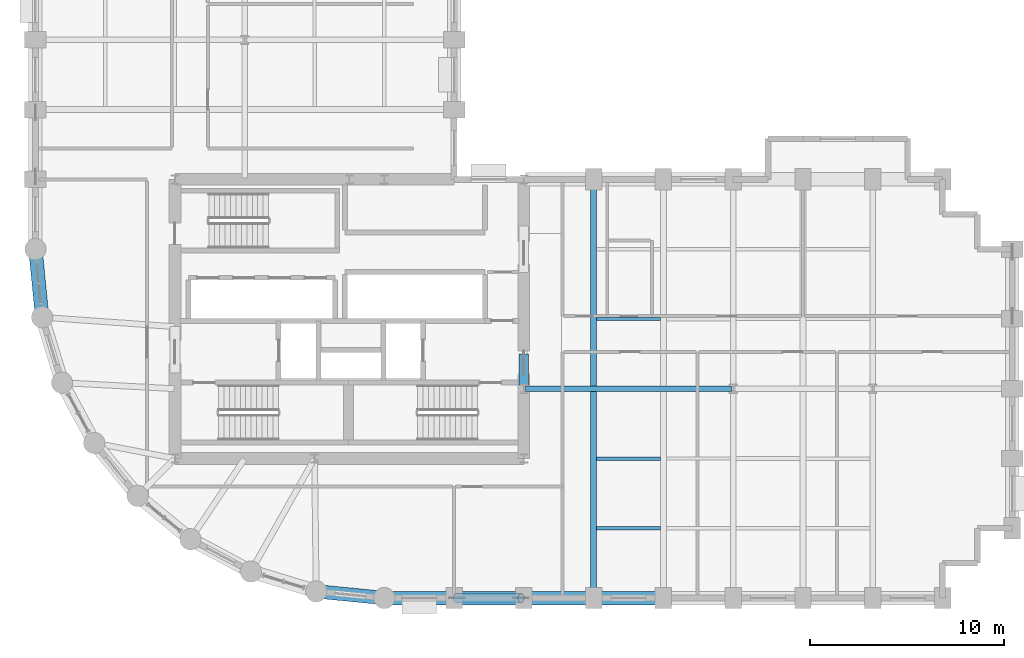
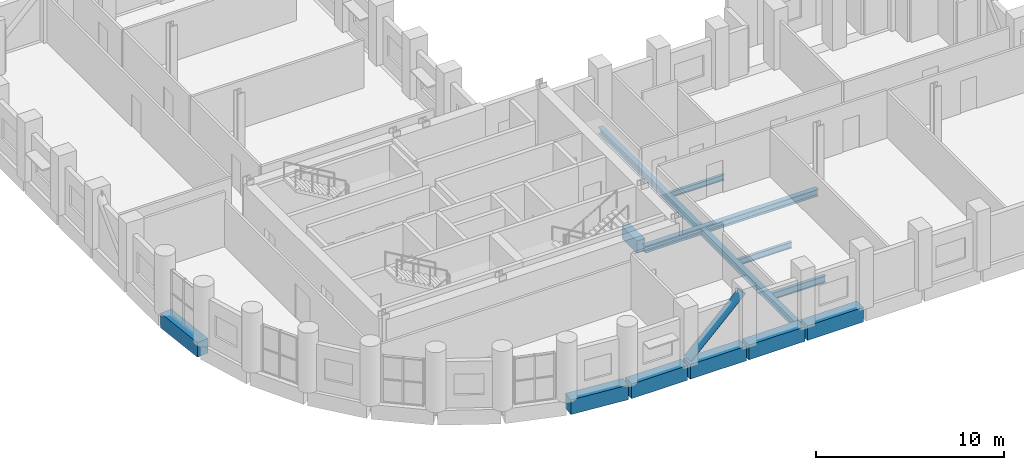
# One storey, part 4 of 13: 12 beams, 1 member.
"""IFC4 building model written with IfcOpenShell, lengths in metres."""

import ifcopenshell
import ifcopenshell.guid

model = None  # the IFC model being written
_history = None  # IfcOwnerHistory: only IFC2X3 demands one
_inside = {}  # id of a spatial element -> (the spatial element, [elements in it])
_under = {}  # id of a project, library or spatial element -> (it, [spatial elements below it])
_declared = {}  # id of a project -> (the project, [libraries it declares])
_typed = {}  # id of a type object -> (the type object, [elements of that type])
_made_of = {}  # id of a material, layer set ... -> (it, [elements and type objects made of it])


def new_model(schema):
    """Start an empty IFC model of exactly this schema.

    Asked for "IFC4X3", IfcOpenShell would pick the latest addendum, in which some entities
    have other attributes; the version numbers below select the first issue.
    IFC2X3 requires an IfcOwnerHistory on every rooted entity: one is made here for all.
    """
    global model, _history
    if schema == "IFC4X3":
        model = ifcopenshell.file(schema_version=(4, 3, 0, 0))
    else:
        model = ifcopenshell.file(schema=schema)
    _inside.clear()
    _under.clear()
    _declared.clear()
    _typed.clear()
    _made_of.clear()
    _history = None
    if model.schema == "IFC2X3":
        org = make("IfcOrganization", Name="unknown")
        user = make(
            "IfcPersonAndOrganization",
            ThePerson=make("IfcPerson", FamilyName="unknown"),
            TheOrganization=org,
        )
        app = make(
            "IfcApplication",
            ApplicationDeveloper=org,
            Version="unknown",
            ApplicationFullName="unknown",
            ApplicationIdentifier="unknown",
        )
        _history = make(
            "IfcOwnerHistory",
            OwningUser=user,
            OwningApplication=app,
            ChangeAction="ADDED",
            CreationDate=0,
        )
    return model


def make(cls, **values):
    """One entity of the class cls with the attributes given. An attribute that is None is left unset."""
    return model.create_entity(
        cls, **{name: value for name, value in values.items() if value is not None}
    )


def rooted(cls, **values):
    """An entity with a GlobalId (a new one), such as an element, a storey or a relation."""
    return make(cls, GlobalId=ifcopenshell.guid.new(), OwnerHistory=_history, **values)


def si_unit(unit_type, name, prefix=None):
    """IfcSIUnit, for example si_unit("LENGTHUNIT", "METRE", prefix="MILLI")."""
    return make("IfcSIUnit", UnitType=unit_type, Prefix=prefix, Name=name)


def assignment(units):
    """IfcUnitAssignment: the units of a project."""
    return None if units is None else make("IfcUnitAssignment", Units=units)


def point(xyz):
    """IfcCartesianPoint."""
    return None if xyz is None else make("IfcCartesianPoint", Coordinates=xyz)


def direction(xyz):
    """IfcDirection."""
    return None if xyz is None else make("IfcDirection", DirectionRatios=xyz)


def frame(location, z_axis=None, x_axis=None):
    """IfcAxis2Placement3D, a coordinate frame: its origin and axes. An axis left out is left unset."""
    return make(
        "IfcAxis2Placement3D",
        Location=point(location),
        Axis=direction(z_axis),
        RefDirection=direction(x_axis),
    )


def frame_2d(location, x_axis=None):
    """IfcAxis2Placement2D, a coordinate frame in the plane: its origin and x axis."""
    return make(
        "IfcAxis2Placement2D", Location=point(location), RefDirection=direction(x_axis)
    )


def origin():
    """The frame at (0, 0, 0) with its axes left unset."""
    return frame((0.0, 0.0, 0.0))


def origin_2d():
    """The frame at (0, 0) in the plane with its x axis left unset."""
    return frame_2d((0.0, 0.0))


def place(relative_to, where):
    """IfcLocalPlacement: puts the frame where relative to a parent placement (None: the world)."""
    return make(
        "IfcLocalPlacement", PlacementRelTo=relative_to, RelativePlacement=where
    )


def context(
    kind, dimensions, precision=None, world=None, true_north=None, identifier=None
):
    """IfcGeometricRepresentationContext, for example the 3D "Model" context."""
    return make(
        "IfcGeometricRepresentationContext",
        ContextIdentifier=identifier,
        ContextType=kind,
        CoordinateSpaceDimension=dimensions,
        Precision=precision,
        WorldCoordinateSystem=world,
        TrueNorth=true_north,
    )


def subcontext(parent, identifier, kind, view, scale=None):
    """IfcGeometricRepresentationSubContext, for example "Body" below "Model"."""
    return make(
        "IfcGeometricRepresentationSubContext",
        ContextIdentifier=identifier,
        ContextType=kind,
        ParentContext=parent,
        TargetScale=scale,
        TargetView=view,
    )


def project(units=None, contexts=None):
    """IfcProject with its units and contexts."""
    return rooted(
        "IfcProject",
        Name="project",
        RepresentationContexts=contexts,
        UnitsInContext=assignment(units),
    )


def spatial(cls, under=None, at=None, **own):
    """A site, building, storey or space (cls), placed at a placement, below another one or the project."""
    s = rooted(cls, ObjectPlacement=at, **own)
    if under is not None:
        _under.setdefault(under.id(), (under, []))[1].append(s)
    return s


def profile(cls, at=None, kind="AREA", **sizes):
    """A parametric profile (cls). Its sizes go by their IFC names, for example OverallWidth=200.0."""
    return make(cls, ProfileType=kind, Position=at, **sizes)


def rectangle(**sizes):
    """IfcRectangleProfileDef."""
    return profile("IfcRectangleProfileDef", **sizes)


def hollow_circle(**sizes):
    """IfcCircleHollowProfileDef."""
    return profile("IfcCircleHollowProfileDef", **sizes)


def i_section(**sizes):
    """IfcIShapeProfileDef."""
    return profile("IfcIShapeProfileDef", **sizes)


def extrude(swept, where, along, depth):
    """IfcExtrudedAreaSolid: the profile swept, set in the frame where, extruded along a direction by depth."""
    return make(
        "IfcExtrudedAreaSolid",
        SweptArea=swept,
        Position=where,
        ExtrudedDirection=direction(along),
        Depth=depth,
    )


def shape(context_of_items, identifier, shape_type, items):
    """IfcShapeRepresentation: the items that make up one representation, for example the "Body"."""
    return make(
        "IfcShapeRepresentation",
        ContextOfItems=context_of_items,
        RepresentationIdentifier=identifier,
        RepresentationType=shape_type,
        Items=items,
    )


def material(Name=None, Category=None):
    """IfcMaterial."""
    return make("IfcMaterial", Name=Name, Category=Category)


def material_profile(
    of_material, cross_section, Name=None, Category=None, Priority=None
):
    """IfcMaterialProfile: a cross section and its material."""
    return make(
        "IfcMaterialProfile",
        Name=Name,
        Material=of_material,
        Profile=cross_section,
        Priority=Priority,
        Category=Category,
    )


def profile_set(profiles, Name=None, composite=None):
    """IfcMaterialProfileSet."""
    return make(
        "IfcMaterialProfileSet",
        Name=Name,
        MaterialProfiles=profiles,
        CompositeProfile=composite,
    )


def made_of(thing, what):
    """Note that an element or type object is made of a material, layer set ...; save() writes the relation."""
    if what is not None:
        _made_of.setdefault(what.id(), (what, []))[1].append(thing)
    return thing


def type_object(cls, material=None, **own):
    """A type object (cls), such as IfcWallType, which elements share."""
    return made_of(rooted(cls, **own), material)


def element(
    cls,
    number,
    at=None,
    inside=None,
    cuts=None,
    type_object=None,
    material=None,
    context=None,
    identifier="Body",
    shape_type=None,
    held_by="IfcProductDefinitionShape",
    body=None,
    shapes=None,
    **own,
):
    """One element of the class cls, such as IfcWall. Its Tag is "e" and its number.

    at: its placement. inside: the storey or other place that contains it. cuts: it is an
    opening in that element (IfcRelVoidsElement). A single representation is given by context,
    identifier, shape_type and body (its items); several are given by shapes. held_by: the class
    of the entity that holds the representations. save() writes the other relations.
    """
    e = rooted(cls, Tag="e%d" % number, ObjectPlacement=at, **own)
    if body is not None:
        shapes = [shape(context, identifier, shape_type, body)]
    if shapes is not None:
        e.Representation = make(held_by, Representations=shapes)
    if inside is not None:
        _inside.setdefault(inside.id(), (inside, []))[1].append(e)
    if cuts is not None:
        rooted(
            "IfcRelVoidsElement", RelatingBuildingElement=cuts, RelatedOpeningElement=e
        )
    if type_object is not None:
        _typed.setdefault(type_object.id(), (type_object, []))[1].append(e)
    return made_of(e, material)


def aggregate(whole, parts):
    """IfcRelAggregates: a whole, such as a stair, and the parts it consists of."""
    return rooted("IfcRelAggregates", RelatingObject=whole, RelatedObjects=parts)


def save(model, path):
    """Write the relations noted so far, then the file.

    IfcRelAggregates (storeys below a building ...), IfcRelContainedInSpatialStructure (elements
    in a storey), IfcRelDefinesByType, IfcRelAssociatesMaterial and IfcRelDeclares: one each for
    every whole, place, type object, material and project.
    """
    for whole, parts in _under.values():
        aggregate(whole, parts)
    for where, things in _inside.values():
        rooted(
            "IfcRelContainedInSpatialStructure",
            RelatedElements=things,
            RelatingStructure=where,
        )
    for kind, things in _typed.values():
        rooted("IfcRelDefinesByType", RelatedObjects=things, RelatingType=kind)
    for what, things in _made_of.values():
        rooted("IfcRelAssociatesMaterial", RelatedObjects=things, RelatingMaterial=what)
    for by, libraries in _declared.values():
        rooted("IfcRelDeclares", RelatingContext=by, RelatedDefinitions=libraries)
    model.write(path)


model = new_model("IFC4")

# Units and contexts
model_context = context("Model", 3, precision=1e-05, world=origin(), true_north=direction((0.0, 1.0)))
body_context = subcontext(model_context, "Body", "Model", "MODEL_VIEW")
ifc_project = project(units=[si_unit("LENGTHUNIT", "METRE"), si_unit("AREAUNIT", "SQUARE_METRE"), si_unit("VOLUMEUNIT", "CUBIC_METRE"), si_unit("PLANEANGLEUNIT", "RADIAN"), si_unit("MASSUNIT", "GRAM", prefix="KILO")], contexts=[model_context])

# Site, building, storey
site_placement = place(None, origin())
site = spatial("IfcSite", under=ifc_project, at=site_placement, CompositionType="ELEMENT")
building_placement = place(site_placement, origin())
building = spatial("IfcBuilding", under=site, at=building_placement, Name="Solnavia Interchange Tower", CompositionType="ELEMENT")
storey_placement = place(building_placement, frame((0.0, 0.0, 111.300048828125)))
storey = spatial("IfcBuildingStorey", under=building, at=storey_placement, Name="L27", CompositionType="ELEMENT", Elevation=111.300048828125)

# Beams
ifc_material_1 = material(Name="Concrete C50/60", Category="concrete")
ifc_material_profile_1 = material_profile(ifc_material_1, rectangle(XDim=0.5, YDim=0.800048828125, at=origin_2d()), Name="RC 500x800")
ifc_profile_set_1 = profile_set([ifc_material_profile_1], Name="Concrete C50/60")
beam_type_1 = type_object("IfcBeamType", Name="Beam-Coupling-RC500x800", PredefinedType="LINTEL", material=ifc_profile_set_1)
beam_1_placement = place(storey_placement, frame((32.39990234375, 14.60009765625, -0.400146484375), z_axis=(0.0, 1.0, 0.0), x_axis=(-1.0, 0.0, 0.0)))
element("IfcBeam", 1, at=beam_1_placement, inside=storey, type_object=beam_type_1, Name="CPB-L27-E1 Core coupling lintel beam", PredefinedType="LINTEL", context=body_context, shape_type="SweptSolid", body=[
    extrude(rectangle(XDim=0.5, YDim=0.800048828125, at=origin_2d()), origin(), (0.0, 0.0, 1.0), 1.599853515625),
])
ifc_material_2 = material(Name="Steel S460", Category="steel")
ifc_material_profile_2 = material_profile(ifc_material_2, i_section(OverallWidth=0.300048828125, OverallDepth=0.449951171875, WebThickness=0.013916015625, FlangeThickness=0.02587890625, FilletRadius=0.027099609375, at=origin_2d()), Name="HEB 450")
ifc_profile_set_2 = profile_set([ifc_material_profile_2], Name="Steel S460")
beam_type_2 = type_object("IfcBeamType", Name="Beam-Girder-HEB450", PredefinedType="BEAM", material=ifc_profile_set_2)
beam_2_placement = place(storey_placement, frame((32.47998046875, 14.39990234375, -0.47509765625), z_axis=(1.0, 0.0, 0.0), x_axis=(0.0, 1.0, 0.0)))
element("IfcBeam", 2, at=beam_2_placement, inside=storey, type_object=beam_type_2, Name="GRD-L27-ES01 East wing spine girder", PredefinedType="BEAM", context=body_context, shape_type="SweptSolid", body=[
    extrude(i_section(OverallWidth=0.300048828125, OverallDepth=0.449951171875, WebThickness=0.013916015625, FlangeThickness=0.02587890625, FilletRadius=0.027099609375, at=origin_2d()), origin(), (0.0, 0.0, 1.0), 10.64013671875),
])
beam_3_placement = place(storey_placement, frame((36.0, 3.679931640625, -0.47509765625), z_axis=(0.0, 1.0, 0.0), x_axis=(-1.0, 0.0, 0.0)))
element("IfcBeam", 3, at=beam_3_placement, inside=storey, type_object=beam_type_2, Name="GRD-L27-EW04 East wing primary floor girder", PredefinedType="BEAM", context=body_context, shape_type="SweptSolid", body=[
    extrude(i_section(OverallWidth=0.300048828125, OverallDepth=0.449951171875, WebThickness=0.013916015625, FlangeThickness=0.02587890625, FilletRadius=0.027099609375, at=origin_2d()), origin(), (0.0, 0.0, 1.0), 21.440185546875),
])
ifc_material_3 = material(Name="Steel S355", Category="steel")
ifc_material_profile_3 = material_profile(ifc_material_3, i_section(OverallWidth=0.169921875, OverallDepth=0.360107421875, WebThickness=0.008056640625, FlangeThickness=0.0126953125, FilletRadius=0.01806640625, at=origin_2d()), Name="IPE 360")
ifc_profile_set_3 = profile_set([ifc_material_profile_3], Name="Steel S355")
beam_type_3 = type_object("IfcBeamType", Name="Beam-Joist-IPE360", PredefinedType="JOIST", material=ifc_profile_set_3)
beam_4_placement = place(storey_placement, frame((36.14990234375, 18.0, -0.429931640625), z_axis=(1.0, 0.0, 0.0), x_axis=(0.0, 1.0, 0.0)))
element("IfcBeam", 4, at=beam_4_placement, inside=storey, type_object=beam_type_3, Name="JST-L27-E09 East wing secondary joist", PredefinedType="JOIST", context=body_context, shape_type="SweptSolid", body=[
    extrude(i_section(OverallWidth=0.169921875, OverallDepth=0.360107421875, WebThickness=0.008056640625, FlangeThickness=0.0126953125, FilletRadius=0.01806640625, at=origin_2d()), origin(), (0.0, 0.0, 1.0), 3.300048828125),
])
ifc_material_profile_4 = material_profile(ifc_material_3, i_section(OverallWidth=0.179931640625, OverallDepth=0.39990234375, WebThickness=0.008544921875, FlangeThickness=0.013427734375, FilletRadius=0.02099609375, at=origin_2d()), Name="IPE 400")
ifc_profile_set_4 = profile_set([ifc_material_profile_4], Name="Steel S355")
beam_type_4 = type_object("IfcBeamType", Name="Beam-Joist-IPE400", PredefinedType="JOIST", material=ifc_profile_set_4)
beam_5_placement = place(storey_placement, frame((36.14990234375, 10.800048828125, -0.449951171875), z_axis=(1.0, 0.0, 0.0), x_axis=(0.0, 1.0, 0.0)))
element("IfcBeam", 5, at=beam_5_placement, inside=storey, type_object=beam_type_4, Name="JST-L27-E05 East wing secondary joist", PredefinedType="JOIST", context=body_context, shape_type="SweptSolid", body=[
    extrude(i_section(OverallWidth=0.179931640625, OverallDepth=0.39990234375, WebThickness=0.008544921875, FlangeThickness=0.013427734375, FilletRadius=0.02099609375, at=origin_2d()), origin(), (0.0, 0.0, 1.0), 3.300048828125),
])
ifc_material_profile_5 = material_profile(ifc_material_3, i_section(OverallWidth=0.18994140625, OverallDepth=0.449951171875, WebThickness=0.009521484375, FlangeThickness=0.0146484375, FilletRadius=0.02099609375, at=origin_2d()), Name="IPE 450")
ifc_profile_set_5 = profile_set([ifc_material_profile_5], Name="Steel S355")
beam_type_5 = type_object("IfcBeamType", Name="Beam-Joist-IPE450", PredefinedType="JOIST", material=ifc_profile_set_5)
beam_6_placement = place(storey_placement, frame((36.14990234375, 7.199951171875, -0.47509765625), z_axis=(1.0, 0.0, 0.0), x_axis=(0.0, 1.0, 0.0)))
element("IfcBeam", 6, at=beam_6_placement, inside=storey, type_object=beam_type_5, Name="JST-L27-E01 East wing secondary joist", PredefinedType="JOIST", context=body_context, shape_type="SweptSolid", body=[
    extrude(i_section(OverallWidth=0.18994140625, OverallDepth=0.449951171875, WebThickness=0.009521484375, FlangeThickness=0.0146484375, FilletRadius=0.02099609375, at=origin_2d()), origin(), (0.0, 0.0, 1.0), 3.300048828125),
])
ifc_material_profile_6 = material_profile(ifc_material_1, rectangle(XDim=0.699951171875, YDim=0.949951171875, at=origin_2d()), Name="RC 700x950")
ifc_profile_set_6 = profile_set([ifc_material_profile_6], Name="Concrete C50/60")
beam_type_6 = type_object("IfcBeamType", Name="Beam-Spandrel-RC700x950", PredefinedType="SPANDREL", material=ifc_profile_set_6)
beam_7_placement = place(storey_placement, frame((7.207763671875, 21.5205078125, -0.47509765625), z_axis=(0.098040038117, -0.995182471171, 0.0), x_axis=(0.995182471171, 0.098040038117, 0.0)))
element("IfcBeam", 7, at=beam_7_placement, inside=storey, type_object=beam_type_6, Name="SPB-L27-01 Framed-tube perimeter spandrel beam", PredefinedType="SPANDREL", context=body_context, shape_type="SweptSolid", body=[
    extrude(rectangle(XDim=0.699951171875, YDim=0.949951171875, at=origin_2d()), origin(), (0.0, 0.0, 1.0), 3.369140625),
])
beam_8_placement = place(storey_placement, frame((21.767578125, 3.938232421875, -0.47509765625), z_axis=(0.995181774609, -0.098047108501, 0.0), x_axis=(0.098047108501, 0.995181774609, 0.0)))
element("IfcBeam", 8, at=beam_8_placement, inside=storey, type_object=beam_type_6, Name="SPB-L27-08 Framed-tube perimeter spandrel beam", PredefinedType="SPANDREL", context=body_context, shape_type="SweptSolid", body=[
    extrude(rectangle(XDim=0.699951171875, YDim=0.949951171875, at=origin_2d()), origin(), (0.0, 0.0, 1.0), 3.368896484375),
])
beam_9_placement = place(storey_placement, frame((25.280029296875, 3.60009765625, -0.47509765625), z_axis=(1.0, 0.0, 0.0), x_axis=(0.0, 1.0, 0.0)))
element("IfcBeam", 9, at=beam_9_placement, inside=storey, type_object=beam_type_6, Name="SPB-L27-09 Framed-tube perimeter spandrel beam", PredefinedType="SPANDREL", context=body_context, shape_type="SweptSolid", body=[
    extrude(rectangle(XDim=0.699951171875, YDim=0.949951171875, at=origin_2d()), origin(), (0.0, 0.0, 1.0), 3.43994140625),
])
beam_10_placement = place(storey_placement, frame((28.8798828125, 3.60009765625, -0.47509765625), z_axis=(1.0, 0.0, 0.0), x_axis=(0.0, 1.0, 0.0)))
element("IfcBeam", 10, at=beam_10_placement, inside=storey, type_object=beam_type_6, Name="SPB-L27-10 Framed-tube perimeter spandrel beam", PredefinedType="SPANDREL", context=body_context, shape_type="SweptSolid", body=[
    extrude(rectangle(XDim=0.699951171875, YDim=0.949951171875, at=origin_2d()), origin(), (0.0, 0.0, 1.0), 3.440185546875),
])
for number, where, z_axis, x_axis, name in (
    (11, (32.47998046875, 3.60009765625, -0.47509765625), (1.0, 0.0, 0.0), (0.0, 1.0, 0.0), "SPB-L27-11 Framed-tube perimeter spandrel beam"),
    (12, (36.080078125, 3.60009765625, -0.47509765625), (1.0, 0.0, 0.0), (0.0, 1.0, 0.0), "SPB-L27-12 Framed-tube perimeter spandrel beam"),
):
    element("IfcBeam", number, at=place(storey_placement, frame(where, z_axis=z_axis, x_axis=x_axis)), inside=storey, type_object=beam_type_6, Name=name, PredefinedType="SPANDREL", context=body_context, shape_type="SweptSolid", body=[
        extrude(rectangle(XDim=0.699951171875, YDim=0.949951171875, at=origin_2d()), origin(), (0.0, 0.0, 1.0), 3.43994140625),
    ])

# Member
ifc_material_profile_7 = material_profile(ifc_material_2, hollow_circle(Radius=0.25390625, WallThickness=0.02490234375, at=origin_2d()), Name="CHS 508x25")
ifc_profile_set_7 = profile_set([ifc_material_profile_7], Name="Steel S460")
member_type = type_object("IfcMemberType", Name="Brace-Perim-CHS508", PredefinedType="BRACE", material=ifc_profile_set_7)
member_placement = place(storey_placement, frame((28.93994140625, 3.60009765625, 0.179931640625), z_axis=(0.717845231304, 0.0, 0.696202717528), x_axis=(0.0, 1.0, 0.0)))
element("IfcMember", 13, at=member_placement, inside=storey, type_object=member_type, Name="BRC-L27-01 Perimeter tube diagonal brace", PredefinedType="BRACE", context=body_context, shape_type="SweptSolid", body=[
    extrude(hollow_circle(Radius=0.25390625, WallThickness=0.02490234375, at=origin_2d()), origin(), (0.0, 0.0, 1.0), 4.625),
])

save(model, "model.ifc")
